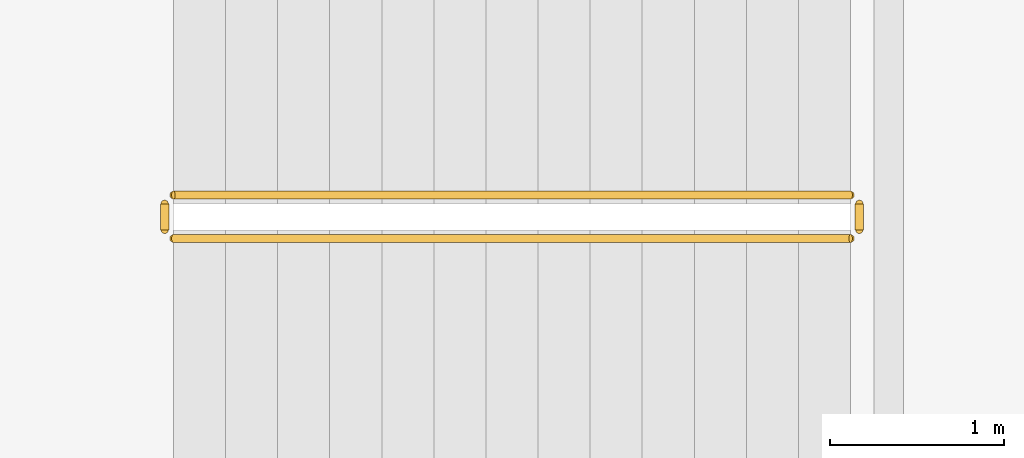
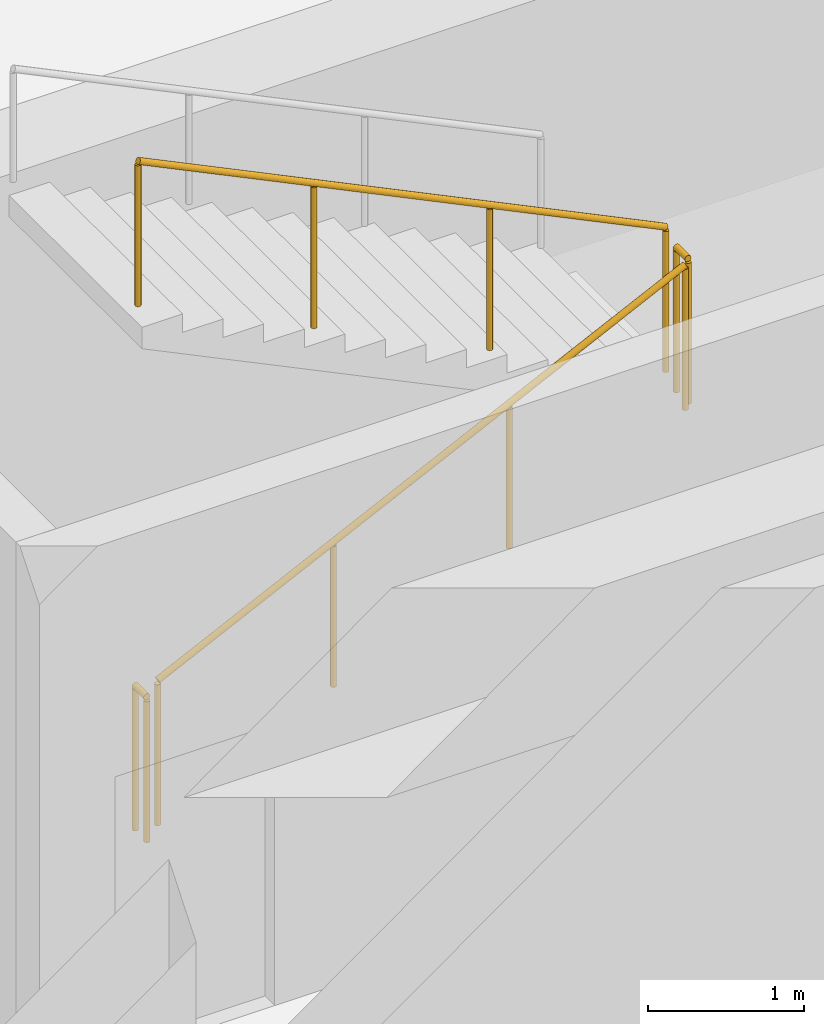
# One storey, part 38 of 41: 4 railings.
"""IFC4 building model written with IfcOpenShell, lengths in metres."""

from ifc_helpers import new_model, si_unit, direction, frame, origin, origin_2d, place, context, subcontext, project, spatial, circle, extrude, material, type_object, element, save


model = new_model("IFC4")

# Units and contexts
model_context = context("Model", 3, precision=1e-05, world=origin(), true_north=direction((0.0, 1.0)))
body_context = subcontext(model_context, "Body", "Model", "MODEL_VIEW")
ifc_project = project(units=[si_unit("LENGTHUNIT", "METRE"), si_unit("AREAUNIT", "SQUARE_METRE"), si_unit("VOLUMEUNIT", "CUBIC_METRE"), si_unit("PLANEANGLEUNIT", "RADIAN"), si_unit("MASSUNIT", "GRAM", prefix="KILO")], contexts=[model_context])

# Site, building, storey
site_placement = place(None, origin())
site = spatial("IfcSite", under=ifc_project, at=site_placement, CompositionType="ELEMENT")
building_placement = place(site_placement, origin())
building = spatial("IfcBuilding", under=site, at=building_placement, Name="Punatoya Terracotta Tower", CompositionType="ELEMENT")
storey_placement = place(building_placement, frame((0.0, 0.0, 220.800048828125)))
storey = spatial("IfcBuildingStorey", under=building, at=storey_placement, Name="L52", CompositionType="ELEMENT", Elevation=220.800048828125)

# Railings
ifc_material = material(Name="Steel S355", Category="steel")
railing_type = type_object("IfcRailingType", Name="RLG-GRD-1150", PredefinedType="GUARDRAIL", material=ifc_material)
railing_1_placement = place(storey_placement, frame((-2.89990234375, 6.949951171875, 0.14453125)))
element("IfcRailing", 1, at=railing_1_placement, inside=storey, type_object=railing_type, Name="L52 ST-3 stair guard 1", PredefinedType="GUARDRAIL", context=body_context, shape_type="SweptSolid", body=[
    extrude(circle(Radius=0.02392578125, at=origin_2d()), frame((0.0, 0.0, 1.1259765625), z_axis=(0.900763166376, 0.0, 0.434310623978), x_axis=(0.0, 1.0, 0.0)), (0.0, 0.0, 1.0), 4.32958984375),
    extrude(circle(Radius=0.02099609375, at=origin_2d()), origin(), (0.0, 0.0, 1.0), 1.101806640625),
    extrude(circle(Radius=0.02099609375, at=origin_2d()), frame((1.300048828125, 0.0, 0.626708984375)), (0.0, 0.0, 1.0), 1.101806640625),
    extrude(circle(Radius=0.02099609375, at=origin_2d()), frame((2.599853515625, 0.0, 1.253662109375)), (0.0, 0.0, 1.0), 1.101806640625),
    extrude(circle(Radius=0.02099609375, at=origin_2d()), frame((3.89990234375, 0.0, 1.88037109375)), (0.0, 0.0, 1.0), 1.101806640625),
])
railing_2_placement = place(storey_placement, frame((1.050048828125, 7.0, 2.02490234375)))
element("IfcRailing", 2, at=railing_2_placement, inside=storey, type_object=railing_type, Name="L52 ST-3 stair guard 2", PredefinedType="GUARDRAIL", context=body_context, shape_type="SweptSolid", body=[
    extrude(circle(Radius=0.02392578125, at=origin_2d()), frame((0.0, 0.0, 1.1259765625), z_axis=(0.0, 1.0, 0.0), x_axis=(-1.0, 0.0, 0.0)), (0.0, 0.0, 1.0), 0.14990234375),
    extrude(circle(Radius=0.02099609375, at=origin_2d()), origin(), (0.0, 0.0, 1.0), 1.101806640625),
    extrude(circle(Radius=0.02099609375, at=origin_2d()), frame((0.0, 0.14990234375, 0.0)), (0.0, 0.0, 1.0), 1.101806640625),
])
railing_3_placement = place(storey_placement, frame((1.0, 7.199951171875, 2.169677734375)))
element("IfcRailing", 3, at=railing_3_placement, inside=storey, type_object=railing_type, Name="L52 ST-3 stair guard 3", PredefinedType="GUARDRAIL", context=body_context, shape_type="SweptSolid", body=[
    extrude(circle(Radius=0.02392578125, at=origin_2d()), frame((0.0, 0.0, 1.1259765625), z_axis=(-0.900763166376, 0.0, 0.434310623978), x_axis=(0.0, -1.0, 0.0)), (0.0, 0.0, 1.0), 4.32958984375),
    extrude(circle(Radius=0.02099609375, at=origin_2d()), origin(), (0.0, 0.0, 1.0), 1.101806640625),
    extrude(circle(Radius=0.02099609375, at=origin_2d()), frame((-1.300048828125, 0.0, 0.626708984375)), (0.0, 0.0, 1.0), 1.101806640625),
    extrude(circle(Radius=0.02099609375, at=origin_2d()), frame((-2.599853515625, 0.0, 1.253662109375)), (0.0, 0.0, 1.0), 1.101806640625),
    extrude(circle(Radius=0.02099609375, at=origin_2d()), frame((-3.89990234375, 0.0, 1.88037109375)), (0.0, 0.0, 1.0), 1.101806640625),
])
railing_4_placement = place(storey_placement, frame((-2.949951171875, 7.0, 0.0)))
element("IfcRailing", 4, at=railing_4_placement, inside=storey, type_object=railing_type, Name="L52 ST-3 stair guard 4", PredefinedType="GUARDRAIL", context=body_context, shape_type="SweptSolid", body=[
    extrude(circle(Radius=0.02392578125, at=origin_2d()), frame((0.0, 0.0, 1.1259765625), z_axis=(0.0, 1.0, 0.0), x_axis=(-1.0, 0.0, 0.0)), (0.0, 0.0, 1.0), 0.14990234375),
    extrude(circle(Radius=0.02099609375, at=origin_2d()), origin(), (0.0, 0.0, 1.0), 1.101806640625),
    extrude(circle(Radius=0.02099609375, at=origin_2d()), frame((0.0, 0.14990234375, 0.0)), (0.0, 0.0, 1.0), 1.101806640625),
])

save(model, "model.ifc")
